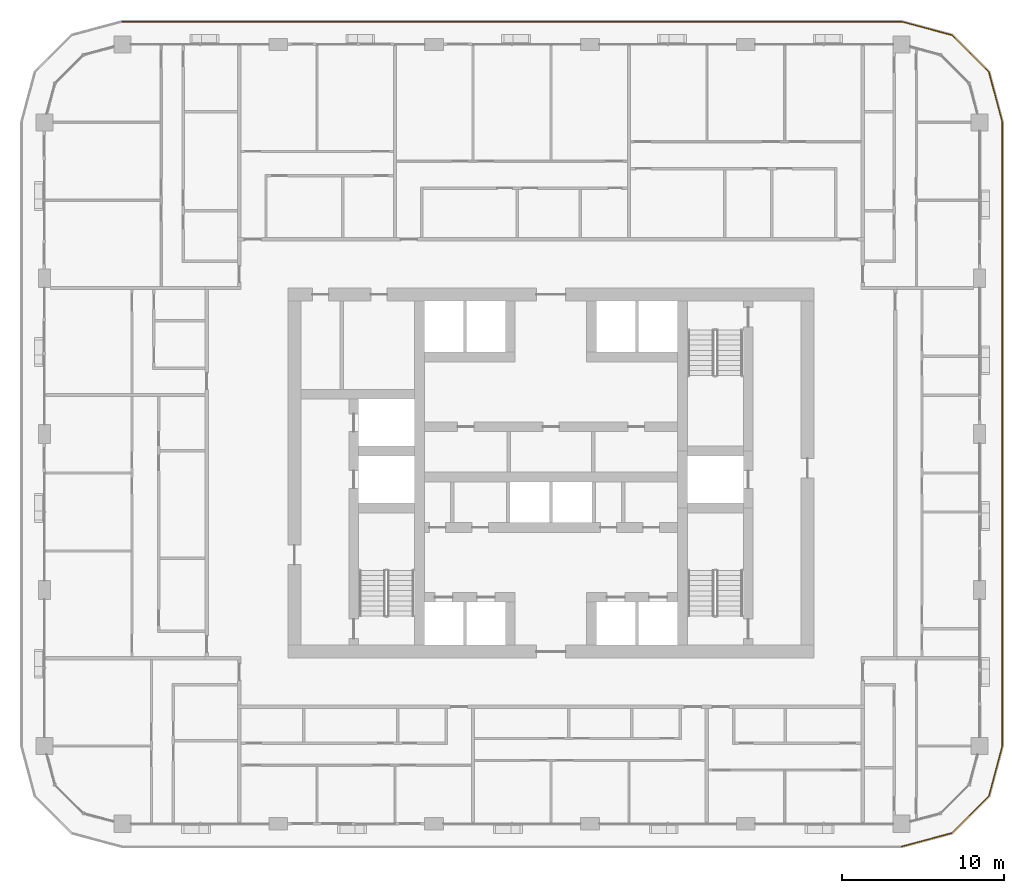
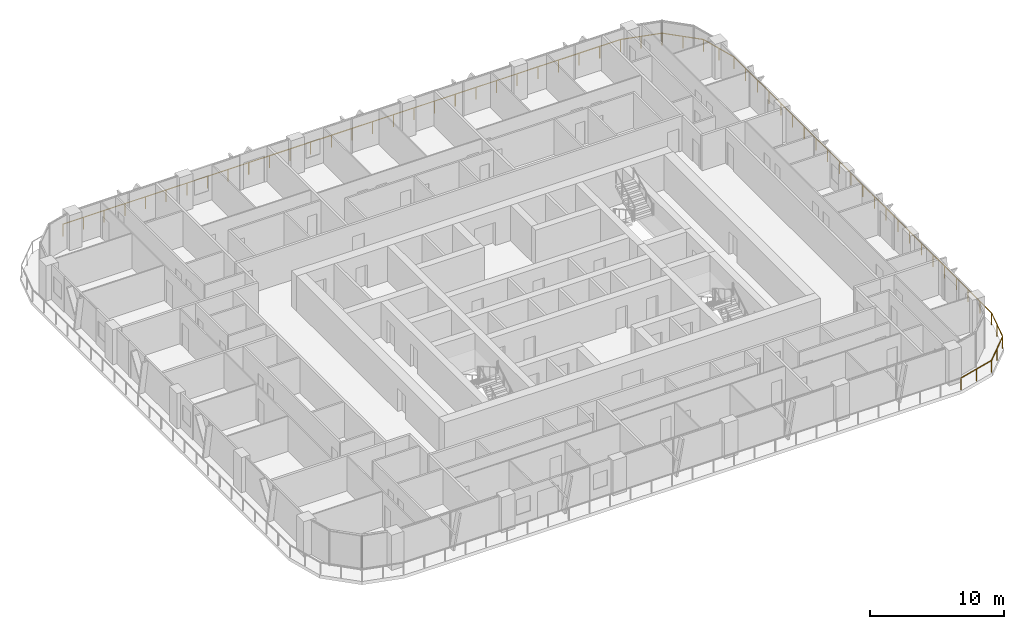
# One storey, part 21 of 23: 1 railing.
"""IFC4 building model written with IfcOpenShell, lengths in metres."""

from ifc_helpers import new_model, si_unit, direction, frame, origin, origin_2d, place, context, subcontext, project, spatial, circle, extrude, material, type_object, element, save


model = new_model("IFC4")

# Units and contexts
model_context = context("Model", 3, precision=1e-05, world=origin(), true_north=direction((0.0, 1.0)))
body_context = subcontext(model_context, "Body", "Model", "MODEL_VIEW")
ifc_project = project(units=[si_unit("LENGTHUNIT", "METRE"), si_unit("AREAUNIT", "SQUARE_METRE"), si_unit("VOLUMEUNIT", "CUBIC_METRE"), si_unit("PLANEANGLEUNIT", "RADIAN"), si_unit("MASSUNIT", "GRAM", prefix="KILO")], contexts=[model_context])

# Site, building, storey
site_placement = place(None, origin())
site = spatial("IfcSite", under=ifc_project, at=site_placement, CompositionType="ELEMENT")
building_placement = place(site_placement, origin())
building = spatial("IfcBuilding", under=site, at=building_placement, Name="Madar Terraces", CompositionType="ELEMENT")
storey_placement = place(building_placement, frame((0.0, 0.0, 133.10009765625)))
storey = spatial("IfcBuildingStorey", under=building, at=storey_placement, Name="L34", CompositionType="ELEMENT", Elevation=133.10009765625)

# Railing
ifc_material = material(Name="Glass, safety glazing, with stainless steel posts", Category="steel")
railing_type = type_object("IfcRailingType", Name="Balcony glass guard 1100", PredefinedType="GUARDRAIL", material=ifc_material)
railing_placement = place(storey_placement, frame((52.800048828125, 3.39990234375, 0.0)))
element("IfcRailing", 1, at=railing_placement, inside=storey, type_object=railing_type, Name="Balcony guard", PredefinedType="GUARDRAIL", context=body_context, shape_type="SweptSolid", body=[
    extrude(circle(Radius=0.02392578125, at=origin_2d()), frame((0.0, 0.0, 1.076171875), z_axis=(0.965909675762, 0.25887931217, 0.0), x_axis=(-0.25887931217, 0.965909675762, 0.0)), (0.0, 0.0, 1.0), 3.209228515625),
    extrude(circle(Radius=0.02392578125, at=origin_2d()), frame((3.099853515625, 0.830810546875, 1.076171875), z_axis=(0.707144815061, 0.707068745266, 0.0), x_axis=(-0.707068745266, 0.707144815061, 0.0)), (0.0, 0.0, 1.0), 3.20947265625),
    extrude(circle(Radius=0.02392578125, at=origin_2d()), frame((5.369384765625, 3.10009765625, 1.076171875), z_axis=(0.258789317819, 0.9659337912, 0.0), x_axis=(-0.9659337912, 0.258789317819, 0.0)), (0.0, 0.0, 1.0), 3.20947265625),
    extrude(circle(Radius=0.02392578125, at=origin_2d()), frame((6.199951171875, 6.2001953125, 1.076171875), z_axis=(0.0, 1.0, 0.0), x_axis=(-1.0, 0.0, 0.0)), (0.0, 0.0, 1.0), 38.39990234375),
    extrude(circle(Radius=0.02392578125, at=origin_2d()), frame((6.199951171875, 44.60009765625, 1.076171875), z_axis=(-0.258789317819, 0.9659337912, 0.0), x_axis=(-0.9659337912, -0.258789317819, 0.0)), (0.0, 0.0, 1.0), 3.20947265625),
    extrude(circle(Radius=0.02392578125, at=origin_2d()), frame((5.369384765625, 47.7001953125, 1.076171875), z_axis=(-0.707144815061, 0.707068745266, 0.0), x_axis=(-0.707068745266, -0.707144815061, 0.0)), (0.0, 0.0, 1.0), 3.20947265625),
    extrude(circle(Radius=0.02392578125, at=origin_2d()), frame((3.099853515625, 49.969482421875, 1.076171875), z_axis=(-0.965928696102, 0.258808334578, 0.0), x_axis=(-0.258808334578, -0.965928696102, 0.0)), (0.0, 0.0, 1.0), 3.209228515625),
    extrude(circle(Radius=0.02392578125, at=origin_2d()), frame((0.0, 50.800048828125, 1.076171875), z_axis=(-1.0, 0.0, 0.0), x_axis=(0.0, -1.0, 0.0)), (0.0, 0.0, 1.0), 48.0),
    extrude(circle(Radius=0.02099609375, at=origin_2d()), origin(), (0.0, 0.0, 1.0), 1.052001953125),
    extrude(circle(Radius=0.02099609375, at=origin_2d()), frame((1.5498046875, 0.41552734375, 0.0)), (0.0, 0.0, 1.0), 1.052001953125),
    extrude(circle(Radius=0.02099609375, at=origin_2d()), frame((3.099853515625, 0.830810546875, 0.0)), (0.0, 0.0, 1.0), 1.052001953125),
    extrude(circle(Radius=0.02099609375, at=origin_2d()), frame((4.234619140625, 1.96533203125, 0.0)), (0.0, 0.0, 1.0), 1.052001953125),
    extrude(circle(Radius=0.02099609375, at=origin_2d()), frame((5.369384765625, 3.10009765625, 0.0)), (0.0, 0.0, 1.0), 1.052001953125),
    extrude(circle(Radius=0.02099609375, at=origin_2d()), frame((5.78466796875, 4.650146484375, 0.0)), (0.0, 0.0, 1.0), 1.052001953125),
    extrude(circle(Radius=0.02099609375, at=origin_2d()), frame((6.199951171875, 6.2001953125, 0.0)), (0.0, 0.0, 1.0), 1.052001953125),
    extrude(circle(Radius=0.02099609375, at=origin_2d()), frame((6.199951171875, 7.945556640625, 0.0)), (0.0, 0.0, 1.0), 1.052001953125),
    extrude(circle(Radius=0.02099609375, at=origin_2d()), frame((6.199951171875, 9.691162109375, 0.0)), (0.0, 0.0, 1.0), 1.052001953125),
    extrude(circle(Radius=0.02099609375, at=origin_2d()), frame((6.199951171875, 11.4365234375, 0.0)), (0.0, 0.0, 1.0), 1.052001953125),
    extrude(circle(Radius=0.02099609375, at=origin_2d()), frame((6.199951171875, 13.181884765625, 0.0)), (0.0, 0.0, 1.0), 1.052001953125),
    extrude(circle(Radius=0.02099609375, at=origin_2d()), frame((6.199951171875, 14.927490234375, 0.0)), (0.0, 0.0, 1.0), 1.052001953125),
    extrude(circle(Radius=0.02099609375, at=origin_2d()), frame((6.199951171875, 16.6728515625, 0.0)), (0.0, 0.0, 1.0), 1.052001953125),
    extrude(circle(Radius=0.02099609375, at=origin_2d()), frame((6.199951171875, 18.41845703125, 0.0)), (0.0, 0.0, 1.0), 1.052001953125),
    extrude(circle(Radius=0.02099609375, at=origin_2d()), frame((6.199951171875, 20.163818359375, 0.0)), (0.0, 0.0, 1.0), 1.052001953125),
    extrude(circle(Radius=0.02099609375, at=origin_2d()), frame((6.199951171875, 21.9091796875, 0.0)), (0.0, 0.0, 1.0), 1.052001953125),
    extrude(circle(Radius=0.02099609375, at=origin_2d()), frame((6.199951171875, 23.65478515625, 0.0)), (0.0, 0.0, 1.0), 1.052001953125),
    extrude(circle(Radius=0.02099609375, at=origin_2d()), frame((6.199951171875, 25.400146484375, 0.0)), (0.0, 0.0, 1.0), 1.052001953125),
    extrude(circle(Radius=0.02099609375, at=origin_2d()), frame((6.199951171875, 27.1455078125, 0.0)), (0.0, 0.0, 1.0), 1.052001953125),
    extrude(circle(Radius=0.02099609375, at=origin_2d()), frame((6.199951171875, 28.89111328125, 0.0)), (0.0, 0.0, 1.0), 1.052001953125),
    extrude(circle(Radius=0.02099609375, at=origin_2d()), frame((6.199951171875, 30.636474609375, 0.0)), (0.0, 0.0, 1.0), 1.052001953125),
    extrude(circle(Radius=0.02099609375, at=origin_2d()), frame((6.199951171875, 32.3818359375, 0.0)), (0.0, 0.0, 1.0), 1.052001953125),
    extrude(circle(Radius=0.02099609375, at=origin_2d()), frame((6.199951171875, 34.12744140625, 0.0)), (0.0, 0.0, 1.0), 1.052001953125),
    extrude(circle(Radius=0.02099609375, at=origin_2d()), frame((6.199951171875, 35.872802734375, 0.0)), (0.0, 0.0, 1.0), 1.052001953125),
    extrude(circle(Radius=0.02099609375, at=origin_2d()), frame((6.199951171875, 37.618408203125, 0.0)), (0.0, 0.0, 1.0), 1.052001953125),
    extrude(circle(Radius=0.02099609375, at=origin_2d()), frame((6.199951171875, 39.36376953125, 0.0)), (0.0, 0.0, 1.0), 1.052001953125),
    extrude(circle(Radius=0.02099609375, at=origin_2d()), frame((6.199951171875, 41.109130859375, 0.0)), (0.0, 0.0, 1.0), 1.052001953125),
    extrude(circle(Radius=0.02099609375, at=origin_2d()), frame((6.199951171875, 42.854736328125, 0.0)), (0.0, 0.0, 1.0), 1.052001953125),
    extrude(circle(Radius=0.02099609375, at=origin_2d()), frame((6.199951171875, 44.60009765625, 0.0)), (0.0, 0.0, 1.0), 1.052001953125),
    extrude(circle(Radius=0.02099609375, at=origin_2d()), frame((5.78466796875, 46.150146484375, 0.0)), (0.0, 0.0, 1.0), 1.052001953125),
    extrude(circle(Radius=0.02099609375, at=origin_2d()), frame((5.369384765625, 47.7001953125, 0.0)), (0.0, 0.0, 1.0), 1.052001953125),
    extrude(circle(Radius=0.02099609375, at=origin_2d()), frame((4.234619140625, 48.8349609375, 0.0)), (0.0, 0.0, 1.0), 1.052001953125),
    extrude(circle(Radius=0.02099609375, at=origin_2d()), frame((3.099853515625, 49.969482421875, 0.0)), (0.0, 0.0, 1.0), 1.052001953125),
    extrude(circle(Radius=0.02099609375, at=origin_2d()), frame((1.5498046875, 50.384765625, 0.0)), (0.0, 0.0, 1.0), 1.052001953125),
    extrude(circle(Radius=0.02099609375, at=origin_2d()), frame((0.0, 50.800048828125, 0.0)), (0.0, 0.0, 1.0), 1.052001953125),
    extrude(circle(Radius=0.02099609375, at=origin_2d()), frame((-1.77783203125, 50.800048828125, 0.0)), (0.0, 0.0, 1.0), 1.052001953125),
    extrude(circle(Radius=0.02099609375, at=origin_2d()), frame((-3.5556640625, 50.800048828125, 0.0)), (0.0, 0.0, 1.0), 1.052001953125),
    extrude(circle(Radius=0.02099609375, at=origin_2d()), frame((-5.333251953125, 50.800048828125, 0.0)), (0.0, 0.0, 1.0), 1.052001953125),
    extrude(circle(Radius=0.02099609375, at=origin_2d()), frame((-7.111083984375, 50.800048828125, 0.0)), (0.0, 0.0, 1.0), 1.052001953125),
    extrude(circle(Radius=0.02099609375, at=origin_2d()), frame((-8.888916015625, 50.800048828125, 0.0)), (0.0, 0.0, 1.0), 1.052001953125),
    extrude(circle(Radius=0.02099609375, at=origin_2d()), frame((-10.666748046875, 50.800048828125, 0.0)), (0.0, 0.0, 1.0), 1.052001953125),
    extrude(circle(Radius=0.02099609375, at=origin_2d()), frame((-12.4443359375, 50.800048828125, 0.0)), (0.0, 0.0, 1.0), 1.052001953125),
    extrude(circle(Radius=0.02099609375, at=origin_2d()), frame((-14.22216796875, 50.800048828125, 0.0)), (0.0, 0.0, 1.0), 1.052001953125),
    extrude(circle(Radius=0.02099609375, at=origin_2d()), frame((-16.0, 50.800048828125, 0.0)), (0.0, 0.0, 1.0), 1.052001953125),
    extrude(circle(Radius=0.02099609375, at=origin_2d()), frame((-17.77783203125, 50.800048828125, 0.0)), (0.0, 0.0, 1.0), 1.052001953125),
    extrude(circle(Radius=0.02099609375, at=origin_2d()), frame((-19.5556640625, 50.800048828125, 0.0)), (0.0, 0.0, 1.0), 1.052001953125),
    extrude(circle(Radius=0.02099609375, at=origin_2d()), frame((-21.333251953125, 50.800048828125, 0.0)), (0.0, 0.0, 1.0), 1.052001953125),
    extrude(circle(Radius=0.02099609375, at=origin_2d()), frame((-23.111083984375, 50.800048828125, 0.0)), (0.0, 0.0, 1.0), 1.052001953125),
    extrude(circle(Radius=0.02099609375, at=origin_2d()), frame((-24.888916015625, 50.800048828125, 0.0)), (0.0, 0.0, 1.0), 1.052001953125),
    extrude(circle(Radius=0.02099609375, at=origin_2d()), frame((-26.666748046875, 50.800048828125, 0.0)), (0.0, 0.0, 1.0), 1.052001953125),
    extrude(circle(Radius=0.02099609375, at=origin_2d()), frame((-28.4443359375, 50.800048828125, 0.0)), (0.0, 0.0, 1.0), 1.052001953125),
    extrude(circle(Radius=0.02099609375, at=origin_2d()), frame((-30.22216796875, 50.800048828125, 0.0)), (0.0, 0.0, 1.0), 1.052001953125),
    extrude(circle(Radius=0.02099609375, at=origin_2d()), frame((-32.0, 50.800048828125, 0.0)), (0.0, 0.0, 1.0), 1.052001953125),
    extrude(circle(Radius=0.02099609375, at=origin_2d()), frame((-33.77783203125, 50.800048828125, 0.0)), (0.0, 0.0, 1.0), 1.052001953125),
    extrude(circle(Radius=0.02099609375, at=origin_2d()), frame((-35.5556640625, 50.800048828125, 0.0)), (0.0, 0.0, 1.0), 1.052001953125),
    extrude(circle(Radius=0.02099609375, at=origin_2d()), frame((-37.333251953125, 50.800048828125, 0.0)), (0.0, 0.0, 1.0), 1.052001953125),
    extrude(circle(Radius=0.02099609375, at=origin_2d()), frame((-39.111083984375, 50.800048828125, 0.0)), (0.0, 0.0, 1.0), 1.052001953125),
    extrude(circle(Radius=0.02099609375, at=origin_2d()), frame((-40.888916015625, 50.800048828125, 0.0)), (0.0, 0.0, 1.0), 1.052001953125),
    extrude(circle(Radius=0.02099609375, at=origin_2d()), frame((-42.666748046875, 50.800048828125, 0.0)), (0.0, 0.0, 1.0), 1.052001953125),
    extrude(circle(Radius=0.02099609375, at=origin_2d()), frame((-44.4443359375, 50.800048828125, 0.0)), (0.0, 0.0, 1.0), 1.052001953125),
    extrude(circle(Radius=0.02099609375, at=origin_2d()), frame((-46.22216796875, 50.800048828125, 0.0)), (0.0, 0.0, 1.0), 1.052001953125),
    extrude(circle(Radius=0.02099609375, at=origin_2d()), frame((-48.0, 50.800048828125, 0.0)), (0.0, 0.0, 1.0), 1.052001953125),
])

save(model, "model.ifc")
